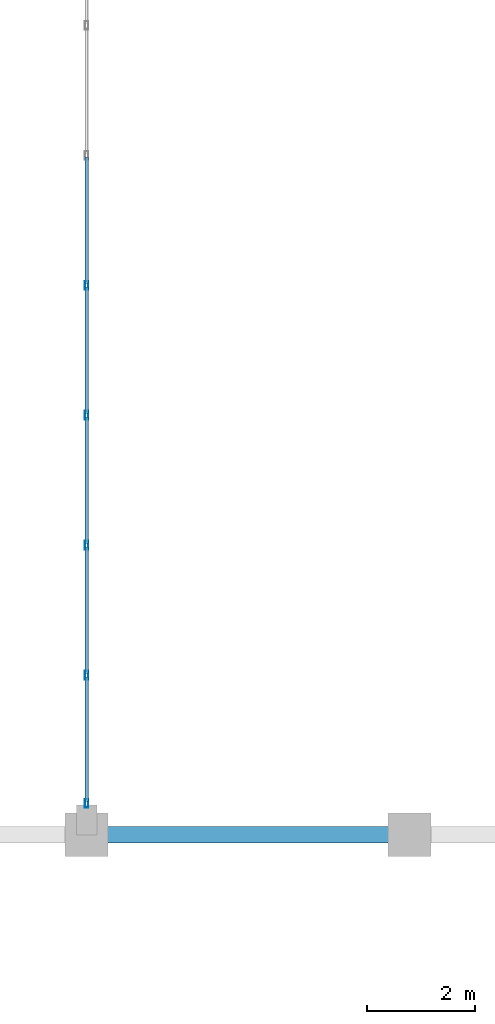
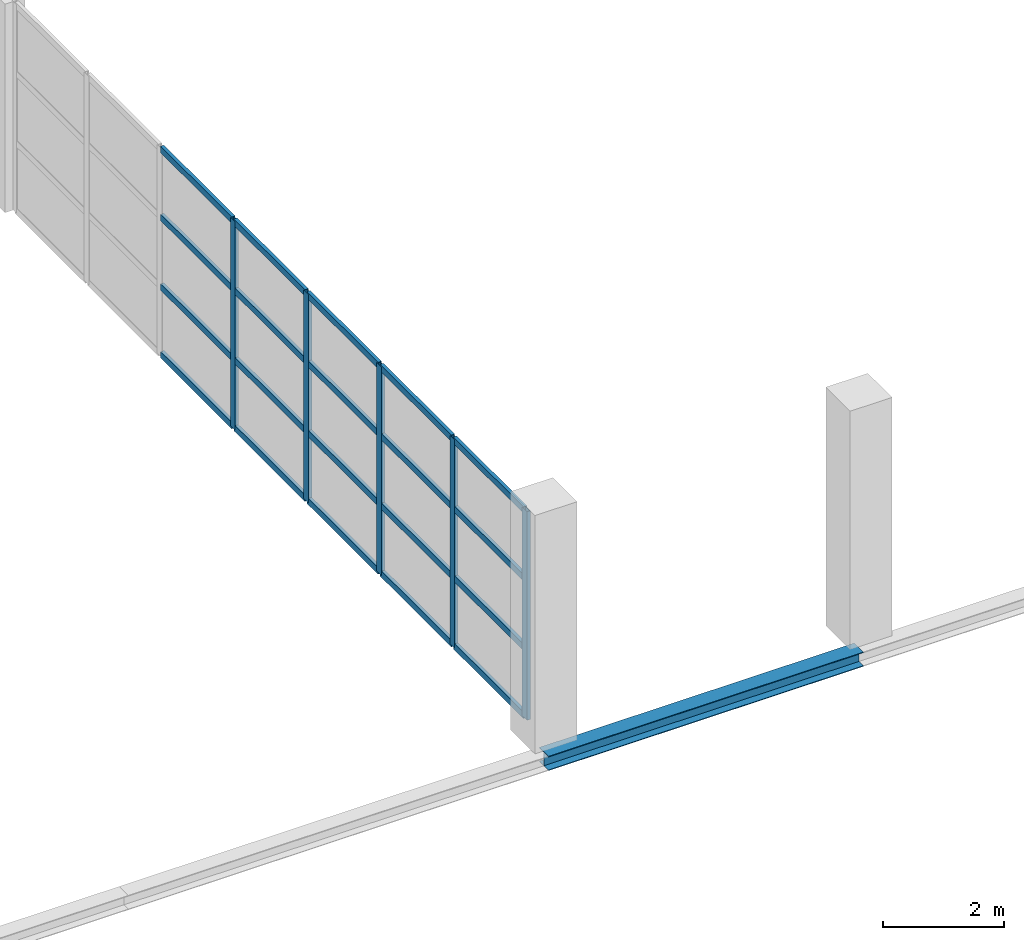
# One storey, part 19 of 86: 25 members, 1 beam, 1 element without a shape of its own.
"""IFC4 building model written with IfcOpenShell, lengths in metres."""

from ifc_helpers import new_model, si_unit, direction, frame, origin, origin_2d, place, context, subcontext, project, spatial, hollow_rectangle, i_section, extrude, material, layer, layer_set, material_profile, profile_set, type_object, element, aggregate, save


model = new_model("IFC4")

# Units and contexts
model_context = context("Model", 3, precision=1e-05, world=origin(), true_north=direction((0.0, 1.0)))
body_context = subcontext(model_context, "Body", "Model", "MODEL_VIEW")
ifc_project = project(units=[si_unit("LENGTHUNIT", "METRE"), si_unit("AREAUNIT", "SQUARE_METRE"), si_unit("VOLUMEUNIT", "CUBIC_METRE"), si_unit("PLANEANGLEUNIT", "RADIAN"), si_unit("MASSUNIT", "GRAM", prefix="KILO")], contexts=[model_context])

# Site, building, storey
site_placement = place(None, origin())
site = spatial("IfcSite", under=ifc_project, at=site_placement, CompositionType="ELEMENT")
building_placement = place(site_placement, origin())
building = spatial("IfcBuilding", under=site, at=building_placement, Name="Zilviju Railside Exhibition Hall", CompositionType="ELEMENT")
storey_placement = place(building_placement, frame((0.0, 0.0, 12.60009765625)))
storey = spatial("IfcBuildingStorey", under=building, at=storey_placement, Name="L04", CompositionType="ELEMENT", Elevation=12.60009765625)

# Beam
ifc_material_1 = material(Name="Steel S355J2", Category="steel")
ifc_material_profile_1 = material_profile(ifc_material_1, i_section(OverallWidth=0.300048828125, OverallDepth=0.2900390625, WebThickness=0.008544921875, FlangeThickness=0.013916015625, at=origin_2d()), Name="HEA 300")
ifc_profile_set_1 = profile_set([ifc_material_profile_1], Name="Steel S355J2")
beam_type = type_object("IfcBeamType", Name="BM-HEA300", PredefinedType="SPANDREL", material=ifc_profile_set_1)
beam_placement = place(storey_placement, frame((78.0, 84.0, -0.485107421875), z_axis=(1.0, 0.0, 0.0), x_axis=(0.0, 1.0, 0.0)))
element("IfcBeam", 1, at=beam_placement, inside=storey, type_object=beam_type, Name="Primary Girder L04 Y=84.0 (78.0..84.0)", PredefinedType="SPANDREL", context=body_context, shape_type="SweptSolid", body=[
    extrude(i_section(OverallWidth=0.300048828125, OverallDepth=0.2900390625, WebThickness=0.008544921875, FlangeThickness=0.013916015625, at=origin_2d()), origin(), (0.0, 0.0, 1.0), 6.0),
])

# Curtain wall, members
ifc_material_2 = material(Name="Thermally broken aluminium-steel triple-glazed curtain wall", Category="steel")
ifc_layer = layer(ifc_material_2, 0.179931640625)
ifc_layer_set = layer_set([ifc_layer], Name="Thermally broken aluminium-steel triple-glazed curtain wall")
curtain_wall_type = type_object("IfcCurtainWallType", Name="CW-BAY-16", PredefinedType="USERDEFINED", material=ifc_layer_set)
curtain_wall_placement = place(storey_placement, origin())
curtain_wall = element("IfcCurtainWall", 2, at=curtain_wall_placement, inside=storey, type_object=curtain_wall_type, Name="North Hall West Upper Glazed Gable (84..102)", ObjectType="GLAZED CURTAIN WALL", PredefinedType="USERDEFINED")
ifc_material_3 = material(Name="Thermally broken anodized aluminium mullion", Category="aluminium")
ifc_material_profile_2 = material_profile(ifc_material_3, hollow_rectangle(XDim=0.06494140625, YDim=0.159912109375, WallThickness=0.0048828125, at=origin_2d()), Name="MULLION 160x65x5")
ifc_profile_set_2 = profile_set([ifc_material_profile_2], Name="Thermally broken anodized aluminium mullion")
member_type_1 = type_object("IfcMemberType", Name="CWM-65x160", PredefinedType="MULLION", material=ifc_profile_set_2)
member_1_placement = place(storey_placement, frame((78.0, 84.58251953125, 0.0), z_axis=(0.0, 0.0, 1.0), x_axis=(-1.0, 0.0, 0.0)))
member_1 = element("IfcMember", 3, at=member_1_placement, type_object=member_type_1, Name="CW-16 mullion 1", PredefinedType="MULLION", context=body_context, shape_type="SweptSolid", body=[
    extrude(hollow_rectangle(XDim=0.06494140625, YDim=0.159912109375, WallThickness=0.0048828125, at=origin_2d()), origin(), (0.0, 0.0, 1.0), 4.199951171875),
])
member_2_placement = place(storey_placement, frame((78.0, 86.96435546875, 0.0), z_axis=(0.0, 0.0, 1.0), x_axis=(-1.0, 0.0, 0.0)))
member_2 = element("IfcMember", 4, at=member_2_placement, type_object=member_type_1, Name="CW-16 mullion 2", PredefinedType="MULLION", context=body_context, shape_type="SweptSolid", body=[
    extrude(hollow_rectangle(XDim=0.06494140625, YDim=0.159912109375, WallThickness=0.0048828125, at=origin_2d()), origin(), (0.0, 0.0, 1.0), 4.199951171875),
])
member_3_placement = place(storey_placement, frame((78.0, 89.378662109375, 0.0), z_axis=(0.0, 0.0, 1.0), x_axis=(-1.0, 0.0, 0.0)))
member_3 = element("IfcMember", 5, at=member_3_placement, type_object=member_type_1, Name="CW-16 mullion 3", PredefinedType="MULLION", context=body_context, shape_type="SweptSolid", body=[
    extrude(hollow_rectangle(XDim=0.06494140625, YDim=0.159912109375, WallThickness=0.0048828125, at=origin_2d()), origin(), (0.0, 0.0, 1.0), 4.199951171875),
])
member_4_placement = place(storey_placement, frame((78.0, 91.79296875, 0.0), z_axis=(0.0, 0.0, 1.0), x_axis=(-1.0, 0.0, 0.0)))
member_4 = element("IfcMember", 6, at=member_4_placement, type_object=member_type_1, Name="CW-16 mullion 4", PredefinedType="MULLION", context=body_context, shape_type="SweptSolid", body=[
    extrude(hollow_rectangle(XDim=0.06494140625, YDim=0.159912109375, WallThickness=0.0048828125, at=origin_2d()), origin(), (0.0, 0.0, 1.0), 4.199951171875),
])
member_5_placement = place(storey_placement, frame((78.0, 94.20703125, 0.0), z_axis=(0.0, 0.0, 1.0), x_axis=(-1.0, 0.0, 0.0)))
member_5 = element("IfcMember", 7, at=member_5_placement, type_object=member_type_1, Name="CW-16 mullion 5", PredefinedType="MULLION", context=body_context, shape_type="SweptSolid", body=[
    extrude(hollow_rectangle(XDim=0.06494140625, YDim=0.159912109375, WallThickness=0.0048828125, at=origin_2d()), origin(), (0.0, 0.0, 1.0), 4.199951171875),
])
ifc_material_4 = material(Name="Thermally broken anodized aluminium transom", Category="aluminium")
ifc_material_profile_3 = material_profile(ifc_material_4, hollow_rectangle(XDim=0.06494140625, YDim=0.1298828125, WallThickness=0.0048828125, at=origin_2d()), Name="TRANSOM 130x65x5")
ifc_profile_set_3 = profile_set([ifc_material_profile_3], Name="Thermally broken anodized aluminium transom")
member_type_2 = type_object("IfcMemberType", Name="CWT-65x130", PredefinedType="USERDEFINED", material=ifc_profile_set_3)
member_6_placement = place(storey_placement, frame((78.0, 84.614990234375, 0.032470703125), z_axis=(0.0, 1.0, 0.0), x_axis=(-1.0, 0.0, 0.0)))
member_6 = element("IfcMember", 8, at=member_6_placement, type_object=member_type_2, Name="CW-16 transom 1.1", ObjectType="TRANSOM", PredefinedType="USERDEFINED", context=body_context, shape_type="SweptSolid", body=[
    extrude(hollow_rectangle(XDim=0.06494140625, YDim=0.1298828125, WallThickness=0.0048828125, at=origin_2d()), origin(), (0.0, 0.0, 1.0), 2.31689453125),
])
member_7_placement = place(storey_placement, frame((78.0, 84.614990234375, 1.39990234375), z_axis=(0.0, 1.0, 0.0), x_axis=(-1.0, 0.0, 0.0)))
member_7 = element("IfcMember", 9, at=member_7_placement, type_object=member_type_2, Name="CW-16 transom 1.2", ObjectType="TRANSOM", PredefinedType="USERDEFINED", context=body_context, shape_type="SweptSolid", body=[
    extrude(hollow_rectangle(XDim=0.06494140625, YDim=0.1298828125, WallThickness=0.0048828125, at=origin_2d()), origin(), (0.0, 0.0, 1.0), 2.31689453125),
])
member_8_placement = place(storey_placement, frame((78.0, 84.614990234375, 2.7998046875), z_axis=(0.0, 1.0, 0.0), x_axis=(-1.0, 0.0, 0.0)))
member_8 = element("IfcMember", 10, at=member_8_placement, type_object=member_type_2, Name="CW-16 transom 1.3", ObjectType="TRANSOM", PredefinedType="USERDEFINED", context=body_context, shape_type="SweptSolid", body=[
    extrude(hollow_rectangle(XDim=0.06494140625, YDim=0.1298828125, WallThickness=0.0048828125, at=origin_2d()), origin(), (0.0, 0.0, 1.0), 2.31689453125),
])
member_9_placement = place(storey_placement, frame((78.0, 84.614990234375, 4.16748046875), z_axis=(0.0, 1.0, 0.0), x_axis=(-1.0, 0.0, 0.0)))
member_9 = element("IfcMember", 11, at=member_9_placement, type_object=member_type_2, Name="CW-16 transom 1.4", ObjectType="TRANSOM", PredefinedType="USERDEFINED", context=body_context, shape_type="SweptSolid", body=[
    extrude(hollow_rectangle(XDim=0.06494140625, YDim=0.1298828125, WallThickness=0.0048828125, at=origin_2d()), origin(), (0.0, 0.0, 1.0), 2.31689453125),
])
member_10_placement = place(storey_placement, frame((78.0, 86.996826171875, 0.032470703125), z_axis=(0.0, 1.0, 0.0), x_axis=(-1.0, 0.0, 0.0)))
member_10 = element("IfcMember", 12, at=member_10_placement, type_object=member_type_2, Name="CW-16 transom 2.1", ObjectType="TRANSOM", PredefinedType="USERDEFINED", context=body_context, shape_type="SweptSolid", body=[
    extrude(hollow_rectangle(XDim=0.06494140625, YDim=0.1298828125, WallThickness=0.0048828125, at=origin_2d()), origin(), (0.0, 0.0, 1.0), 2.349365234375),
])
member_11_placement = place(storey_placement, frame((78.0, 86.996826171875, 1.39990234375), z_axis=(0.0, 1.0, 0.0), x_axis=(-1.0, 0.0, 0.0)))
member_11 = element("IfcMember", 13, at=member_11_placement, type_object=member_type_2, Name="CW-16 transom 2.2", ObjectType="TRANSOM", PredefinedType="USERDEFINED", context=body_context, shape_type="SweptSolid", body=[
    extrude(hollow_rectangle(XDim=0.06494140625, YDim=0.1298828125, WallThickness=0.0048828125, at=origin_2d()), origin(), (0.0, 0.0, 1.0), 2.349365234375),
])
member_12_placement = place(storey_placement, frame((78.0, 86.996826171875, 2.7998046875), z_axis=(0.0, 1.0, 0.0), x_axis=(-1.0, 0.0, 0.0)))
member_12 = element("IfcMember", 14, at=member_12_placement, type_object=member_type_2, Name="CW-16 transom 2.3", ObjectType="TRANSOM", PredefinedType="USERDEFINED", context=body_context, shape_type="SweptSolid", body=[
    extrude(hollow_rectangle(XDim=0.06494140625, YDim=0.1298828125, WallThickness=0.0048828125, at=origin_2d()), origin(), (0.0, 0.0, 1.0), 2.349365234375),
])
member_13_placement = place(storey_placement, frame((78.0, 86.996826171875, 4.16748046875), z_axis=(0.0, 1.0, 0.0), x_axis=(-1.0, 0.0, 0.0)))
member_13 = element("IfcMember", 15, at=member_13_placement, type_object=member_type_2, Name="CW-16 transom 2.4", ObjectType="TRANSOM", PredefinedType="USERDEFINED", context=body_context, shape_type="SweptSolid", body=[
    extrude(hollow_rectangle(XDim=0.06494140625, YDim=0.1298828125, WallThickness=0.0048828125, at=origin_2d()), origin(), (0.0, 0.0, 1.0), 2.349365234375),
])
member_14_placement = place(storey_placement, frame((78.0, 89.4111328125, 0.032470703125), z_axis=(0.0, 1.0, 0.0), x_axis=(-1.0, 0.0, 0.0)))
member_14 = element("IfcMember", 16, at=member_14_placement, type_object=member_type_2, Name="CW-16 transom 3.1", ObjectType="TRANSOM", PredefinedType="USERDEFINED", context=body_context, shape_type="SweptSolid", body=[
    extrude(hollow_rectangle(XDim=0.06494140625, YDim=0.1298828125, WallThickness=0.0048828125, at=origin_2d()), origin(), (0.0, 0.0, 1.0), 2.34912109375),
])
member_15_placement = place(storey_placement, frame((78.0, 89.4111328125, 1.39990234375), z_axis=(0.0, 1.0, 0.0), x_axis=(-1.0, 0.0, 0.0)))
member_15 = element("IfcMember", 17, at=member_15_placement, type_object=member_type_2, Name="CW-16 transom 3.2", ObjectType="TRANSOM", PredefinedType="USERDEFINED", context=body_context, shape_type="SweptSolid", body=[
    extrude(hollow_rectangle(XDim=0.06494140625, YDim=0.1298828125, WallThickness=0.0048828125, at=origin_2d()), origin(), (0.0, 0.0, 1.0), 2.34912109375),
])
member_16_placement = place(storey_placement, frame((78.0, 89.4111328125, 2.7998046875), z_axis=(0.0, 1.0, 0.0), x_axis=(-1.0, 0.0, 0.0)))
member_16 = element("IfcMember", 18, at=member_16_placement, type_object=member_type_2, Name="CW-16 transom 3.3", ObjectType="TRANSOM", PredefinedType="USERDEFINED", context=body_context, shape_type="SweptSolid", body=[
    extrude(hollow_rectangle(XDim=0.06494140625, YDim=0.1298828125, WallThickness=0.0048828125, at=origin_2d()), origin(), (0.0, 0.0, 1.0), 2.34912109375),
])
member_17_placement = place(storey_placement, frame((78.0, 89.4111328125, 4.16748046875), z_axis=(0.0, 1.0, 0.0), x_axis=(-1.0, 0.0, 0.0)))
member_17 = element("IfcMember", 19, at=member_17_placement, type_object=member_type_2, Name="CW-16 transom 3.4", ObjectType="TRANSOM", PredefinedType="USERDEFINED", context=body_context, shape_type="SweptSolid", body=[
    extrude(hollow_rectangle(XDim=0.06494140625, YDim=0.1298828125, WallThickness=0.0048828125, at=origin_2d()), origin(), (0.0, 0.0, 1.0), 2.34912109375),
])
member_18_placement = place(storey_placement, frame((78.0, 91.825439453125, 0.032470703125), z_axis=(0.0, 1.0, 0.0), x_axis=(-1.0, 0.0, 0.0)))
member_18 = element("IfcMember", 20, at=member_18_placement, type_object=member_type_2, Name="CW-16 transom 4.1", ObjectType="TRANSOM", PredefinedType="USERDEFINED", context=body_context, shape_type="SweptSolid", body=[
    extrude(hollow_rectangle(XDim=0.06494140625, YDim=0.1298828125, WallThickness=0.0048828125, at=origin_2d()), origin(), (0.0, 0.0, 1.0), 2.34912109375),
])
member_19_placement = place(storey_placement, frame((78.0, 91.825439453125, 1.39990234375), z_axis=(0.0, 1.0, 0.0), x_axis=(-1.0, 0.0, 0.0)))
member_19 = element("IfcMember", 21, at=member_19_placement, type_object=member_type_2, Name="CW-16 transom 4.2", ObjectType="TRANSOM", PredefinedType="USERDEFINED", context=body_context, shape_type="SweptSolid", body=[
    extrude(hollow_rectangle(XDim=0.06494140625, YDim=0.1298828125, WallThickness=0.0048828125, at=origin_2d()), origin(), (0.0, 0.0, 1.0), 2.34912109375),
])
member_20_placement = place(storey_placement, frame((78.0, 91.825439453125, 2.7998046875), z_axis=(0.0, 1.0, 0.0), x_axis=(-1.0, 0.0, 0.0)))
member_20 = element("IfcMember", 22, at=member_20_placement, type_object=member_type_2, Name="CW-16 transom 4.3", ObjectType="TRANSOM", PredefinedType="USERDEFINED", context=body_context, shape_type="SweptSolid", body=[
    extrude(hollow_rectangle(XDim=0.06494140625, YDim=0.1298828125, WallThickness=0.0048828125, at=origin_2d()), origin(), (0.0, 0.0, 1.0), 2.34912109375),
])
member_21_placement = place(storey_placement, frame((78.0, 91.825439453125, 4.16748046875), z_axis=(0.0, 1.0, 0.0), x_axis=(-1.0, 0.0, 0.0)))
member_21 = element("IfcMember", 23, at=member_21_placement, type_object=member_type_2, Name="CW-16 transom 4.4", ObjectType="TRANSOM", PredefinedType="USERDEFINED", context=body_context, shape_type="SweptSolid", body=[
    extrude(hollow_rectangle(XDim=0.06494140625, YDim=0.1298828125, WallThickness=0.0048828125, at=origin_2d()), origin(), (0.0, 0.0, 1.0), 2.34912109375),
])
member_22_placement = place(storey_placement, frame((78.0, 94.23974609375, 0.032470703125), z_axis=(0.0, 1.0, 0.0), x_axis=(-1.0, 0.0, 0.0)))
member_22 = element("IfcMember", 24, at=member_22_placement, type_object=member_type_2, Name="CW-16 transom 5.1", ObjectType="TRANSOM", PredefinedType="USERDEFINED", context=body_context, shape_type="SweptSolid", body=[
    extrude(hollow_rectangle(XDim=0.06494140625, YDim=0.1298828125, WallThickness=0.0048828125, at=origin_2d()), origin(), (0.0, 0.0, 1.0), 2.34912109375),
])
member_23_placement = place(storey_placement, frame((78.0, 94.23974609375, 1.39990234375), z_axis=(0.0, 1.0, 0.0), x_axis=(-1.0, 0.0, 0.0)))
member_23 = element("IfcMember", 25, at=member_23_placement, type_object=member_type_2, Name="CW-16 transom 5.2", ObjectType="TRANSOM", PredefinedType="USERDEFINED", context=body_context, shape_type="SweptSolid", body=[
    extrude(hollow_rectangle(XDim=0.06494140625, YDim=0.1298828125, WallThickness=0.0048828125, at=origin_2d()), origin(), (0.0, 0.0, 1.0), 2.34912109375),
])
member_24_placement = place(storey_placement, frame((78.0, 94.23974609375, 2.7998046875), z_axis=(0.0, 1.0, 0.0), x_axis=(-1.0, 0.0, 0.0)))
member_24 = element("IfcMember", 26, at=member_24_placement, type_object=member_type_2, Name="CW-16 transom 5.3", ObjectType="TRANSOM", PredefinedType="USERDEFINED", context=body_context, shape_type="SweptSolid", body=[
    extrude(hollow_rectangle(XDim=0.06494140625, YDim=0.1298828125, WallThickness=0.0048828125, at=origin_2d()), origin(), (0.0, 0.0, 1.0), 2.34912109375),
])
member_25_placement = place(storey_placement, frame((78.0, 94.23974609375, 4.16748046875), z_axis=(0.0, 1.0, 0.0), x_axis=(-1.0, 0.0, 0.0)))
member_25 = element("IfcMember", 27, at=member_25_placement, type_object=member_type_2, Name="CW-16 transom 5.4", ObjectType="TRANSOM", PredefinedType="USERDEFINED", context=body_context, shape_type="SweptSolid", body=[
    extrude(hollow_rectangle(XDim=0.06494140625, YDim=0.1298828125, WallThickness=0.0048828125, at=origin_2d()), origin(), (0.0, 0.0, 1.0), 2.34912109375),
])
aggregate(curtain_wall, [member_1, member_2, member_3, member_4, member_5, member_6, member_7, member_8, member_9, member_10, member_11, member_12, member_13, member_14, member_15, member_16, member_17, member_18, member_19, member_20, member_21, member_22, member_23, member_24, member_25])

save(model, "model.ifc")
